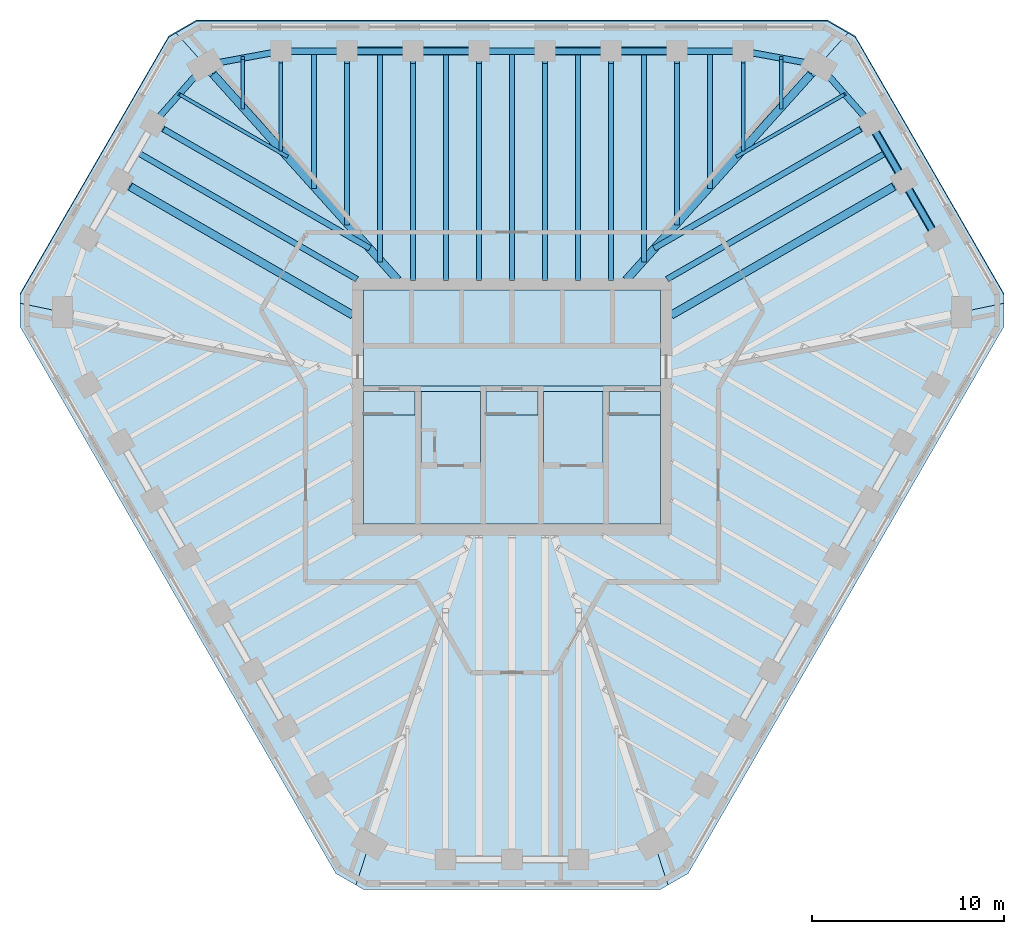
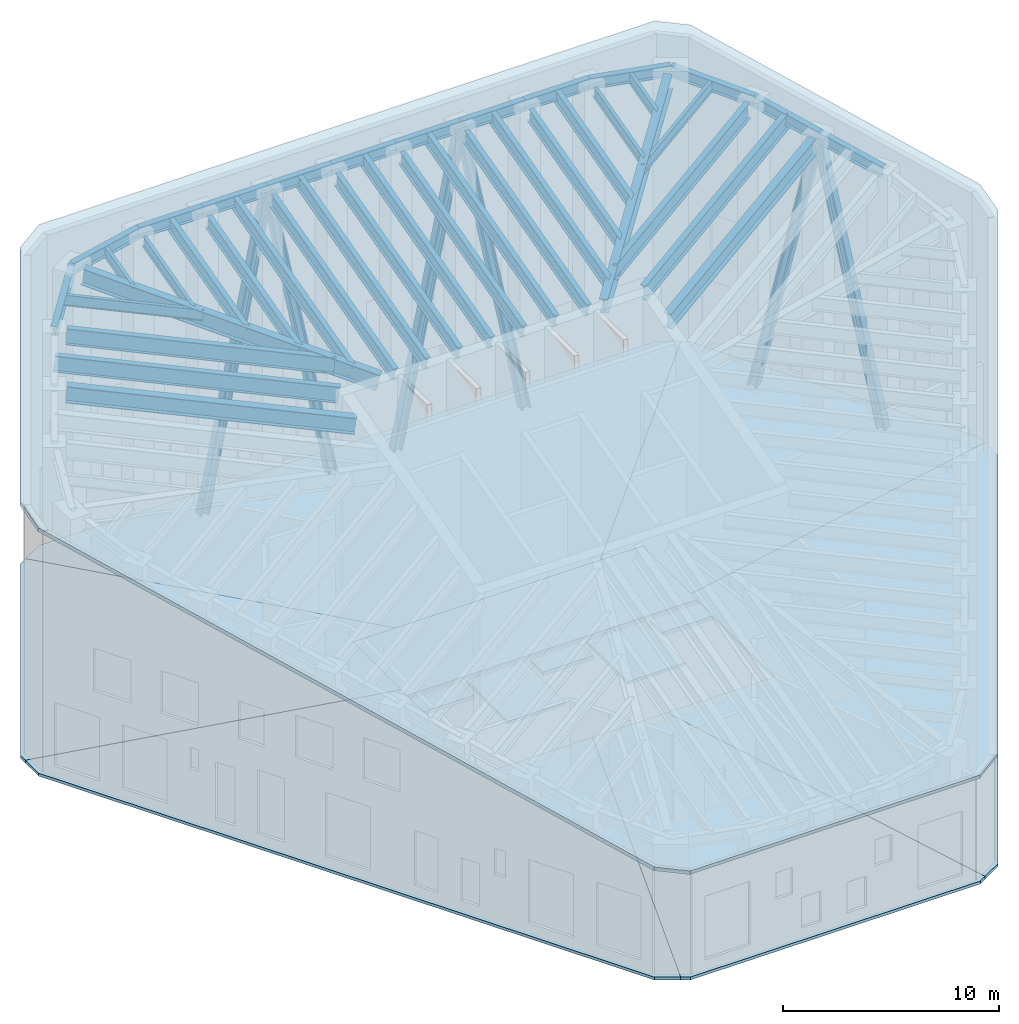
# One storey, part 3 of 9: 40 beams, 13 slabs, 6 members.
"""IFC4 building model written with IfcOpenShell, lengths in metres."""

from ifc_helpers import new_model, si_unit, direction, frame, origin, origin_2d, place, context, subcontext, project, spatial, polyline, i_section, outline, extrude, material, layer, layer_set, material_profile, profile_set, type_object, element, save


model = new_model("IFC4")

# Units and contexts
model_context = context("Model", 3, precision=1e-05, world=origin(), true_north=direction((0.0, 1.0)))
body_context = subcontext(model_context, "Body", "Model", "MODEL_VIEW")
ifc_project = project(units=[si_unit("LENGTHUNIT", "METRE"), si_unit("AREAUNIT", "SQUARE_METRE"), si_unit("VOLUMEUNIT", "CUBIC_METRE"), si_unit("PLANEANGLEUNIT", "RADIAN"), si_unit("MASSUNIT", "GRAM", prefix="KILO")], contexts=[model_context])

# Site, building, storey
site_placement = place(None, origin())
site = spatial("IfcSite", under=ifc_project, at=site_placement, CompositionType="ELEMENT")
building_placement = place(site_placement, origin())
building = spatial("IfcBuilding", under=site, at=building_placement, Name="Sandreach Pilgrim Tower", CompositionType="ELEMENT")
storey_placement = place(building_placement, frame((0.0, 0.0, 298.800048828125)))
storey = spatial("IfcBuildingStorey", under=building, at=storey_placement, Name="L75", CompositionType="ELEMENT", Elevation=298.800048828125)

# Members
ifc_material_1 = material(Name="Steel ASTM A913 Grade 65", Category="steel")
ifc_material_profile_1 = material_profile(ifc_material_1, i_section(OverallWidth=0.424072265625, OverallDepth=0.47509765625, WebThickness=0.0478515625, FlangeThickness=0.0771484375, at=origin_2d()), Name="W14X426")
ifc_profile_set_1 = profile_set([ifc_material_profile_1], Name="Steel ASTM A913 Grade 65")
member_type = type_object("IfcMemberType", Name="Crown brace W14X426", PredefinedType="BRACE", material=ifc_profile_set_1)
for number, where, z_axis, x_axis, name in (
    (1, (-8.612548828125, 18.56640625, 0.0), (0.196988553046, 0.0, 0.980405788421), (0.0, 1.0, 0.0), "Crown brace N face column 02 to 03"),
    (2, (-1.722412109375, 18.56640625, 0.0), (-0.196988553046, 0.0, 0.980405788421), (0.0, -1.0, 0.0), "Crown brace N face column 04 to 03"),
    (3, (1.722412109375, 18.56640625, 0.0), (0.196988553046, 0.0, 0.980405788421), (0.0, 1.0, 0.0), "Crown brace N face column 05 to 06"),
    (4, (8.612548828125, 18.56640625, 0.0), (-0.196988553046, 0.0, 0.980405788421), (0.0, -1.0, 0.0), "Crown brace N face column 07 to 06"),
):
    element("IfcMember", number, at=place(storey_placement, frame(where, z_axis=z_axis, x_axis=x_axis)), inside=storey, type_object=member_type, Name=name, PredefinedType="BRACE", context=body_context, shape_type="SweptSolid", body=[
        extrude(i_section(OverallWidth=0.424072265625, OverallDepth=0.47509765625, WebThickness=0.0478515625, FlangeThickness=0.0771484375, at=origin_2d()), origin(), (0.0, 0.0, 1.0), 17.48876953125),
    ])
for number, where, z_axis, x_axis, name in (
    (5, (18.70361328125, 14.80029296875, 0.0), (0.110240909252, -0.190925823814, 0.975394418545), (0.866006089503, 0.500033451825, 0.0), "Crown brace NE face column 10 to 11"),
    (6, (22.169189453125, 8.7978515625, 0.0), (-0.110225566701, 0.190926150691, 0.975396088483), (-0.866036594811, -0.499980616072, 0.0), "Crown brace NE face column 12 to 11"),
):
    element("IfcMember", number, at=place(storey_placement, frame(where, z_axis=z_axis, x_axis=x_axis)), inside=storey, type_object=member_type, Name=name, PredefinedType="BRACE", context=body_context, shape_type="SweptSolid", body=[
        extrude(i_section(OverallWidth=0.424072265625, OverallDepth=0.47509765625, WebThickness=0.0478515625, FlangeThickness=0.0771484375, at=origin_2d()), origin(), (0.0, 0.0, 1.0), 15.71923828125),
    ])

# Beams
ifc_material_2 = material(Name="Steel ASTM A992 Grade 50", Category="steel")
ifc_material_profile_2 = material_profile(ifc_material_2, i_section(OverallWidth=0.1787109375, OverallDepth=0.60205078125, WebThickness=0.010986328125, FlangeThickness=0.014892578125, at=origin_2d()), Name="W24X62")
ifc_profile_set_2 = profile_set([ifc_material_profile_2], Name="Steel ASTM A992 Grade 50")
beam_type_1 = type_object("IfcBeamType", Name="Crown roof beam W24X62", PredefinedType="BEAM", material=ifc_profile_set_2)
for number, where, z_axis, x_axis, name in (
    (7, (-12.0576171875, 18.016357421875, 16.998046875), (0.0, -0.965923733473, -0.258826855473), (1.0, 0.0, 0.0), "BM L75 RF01"),
    (8, (12.0576171875, 18.016357421875, 16.998046875), (0.0, -0.965923733473, -0.258826855473), (1.0, 0.0, 0.0), "BM L75 RF08"),
):
    element("IfcBeam", number, at=place(storey_placement, frame(where, z_axis=z_axis, x_axis=x_axis)), inside=storey, type_object=beam_type_1, Name=name, PredefinedType="BEAM", context=body_context, shape_type="SweptSolid", body=[
        extrude(i_section(OverallWidth=0.1787109375, OverallDepth=0.60205078125, WebThickness=0.010986328125, FlangeThickness=0.014892578125, at=origin_2d()), origin(), (0.0, 0.0, 1.0), 4.750244140625),
    ])
beam_1_placement = place(storey_placement, frame((14.037109375, 18.201904296875, 17.0478515625), z_axis=(0.0, -0.965923469749, -0.25882783967), x_axis=(1.0, 0.0, 0.0)))
element("IfcBeam", 9, at=beam_1_placement, inside=storey, type_object=beam_type_1, Name="BM L75 RM08", PredefinedType="BEAM", context=body_context, shape_type="SweptSolid", body=[
    extrude(i_section(OverallWidth=0.1787109375, OverallDepth=0.60205078125, WebThickness=0.010986328125, FlangeThickness=0.014892578125, at=origin_2d()), origin(), (0.0, 0.0, 1.0), 2.659912109375),
])
for number, where, z_axis, x_axis, name in (
    (10, (17.360107421875, 16.31884765625, 16.551025390625), (-0.858358383581, -0.495576702265, -0.132757739921), (0.500002465655, -0.866023980233, 0.0), "BM L75 RM09"),
    (11, (-17.360107421875, 16.31884765625, 16.551025390625), (0.858358383581, -0.495576702265, -0.132757739921), (0.500002465655, 0.866023980233, 0.0), "BM L75 RM38"),
):
    element("IfcBeam", number, at=place(storey_placement, frame(where, z_axis=z_axis, x_axis=x_axis)), inside=storey, type_object=beam_type_1, Name=name, PredefinedType="BEAM", context=body_context, shape_type="SweptSolid", body=[
        extrude(i_section(OverallWidth=0.1787109375, OverallDepth=0.60205078125, WebThickness=0.010986328125, FlangeThickness=0.014892578125, at=origin_2d()), origin(), (0.0, 0.0, 1.0), 6.548583984375),
    ])
beam_2_placement = place(storey_placement, frame((-14.037109375, 18.201904296875, 17.0478515625), z_axis=(0.0, -0.965923469749, -0.25882783967), x_axis=(1.0, 0.0, 0.0)))
element("IfcBeam", 12, at=beam_2_placement, inside=storey, type_object=beam_type_1, Name="BM L75 RM39", PredefinedType="BEAM", context=body_context, shape_type="SweptSolid", body=[
    extrude(i_section(OverallWidth=0.1787109375, OverallDepth=0.60205078125, WebThickness=0.010986328125, FlangeThickness=0.014892578125, at=origin_2d()), origin(), (0.0, 0.0, 1.0), 2.659912109375),
])
ifc_material_3 = material(Name="Steel ASTM A992 Grade 50", Category="steel")
ifc_material_profile_3 = material_profile(ifc_material_3, i_section(OverallWidth=0.2666015625, OverallDepth=0.761962890625, WebThickness=0.014404296875, FlangeThickness=0.021484375, at=origin_2d()), Name="W30X116")
ifc_profile_set_3 = profile_set([ifc_material_profile_3], Name="Steel ASTM A992 Grade 50")
beam_type_2 = type_object("IfcBeamType", Name="Crown roof beam W30X116", PredefinedType="BEAM", material=ifc_profile_set_3)
for number, where, z_axis, x_axis, name in (
    (13, (-8.612548828125, 18.016357421875, 16.915283203125), (0.0, -0.96592156262, -0.258834956808), (1.0, 0.0, 0.0), "BM L75 RF02"),
    (14, (8.612548828125, 18.016357421875, 16.915283203125), (0.0, -0.96592156262, -0.258834956808), (1.0, 0.0, 0.0), "BM L75 RF07"),
):
    element("IfcBeam", number, at=place(storey_placement, frame(where, z_axis=z_axis, x_axis=x_axis)), inside=storey, type_object=beam_type_2, Name=name, PredefinedType="BEAM", context=body_context, shape_type="SweptSolid", body=[
        extrude(i_section(OverallWidth=0.2666015625, OverallDepth=0.761962890625, WebThickness=0.014404296875, FlangeThickness=0.021484375, at=origin_2d()), origin(), (0.0, 0.0, 1.0), 8.721923828125),
    ])
for number, where, z_axis, x_axis, name in (
    (15, (-10.3349609375, 18.56640625, 17.062744140625), (0.0, -0.965924184242, -0.258825173227), (1.0, 0.0, 0.0), "BM L75 RM01"),
    (16, (10.3349609375, 18.56640625, 17.062744140625), (0.0, -0.965924184242, -0.258825173227), (1.0, 0.0, 0.0), "BM L75 RM07"),
):
    element("IfcBeam", number, at=place(storey_placement, frame(where, z_axis=z_axis, x_axis=x_axis)), inside=storey, type_object=beam_type_2, Name=name, PredefinedType="BEAM", context=body_context, shape_type="SweptSolid", body=[
        extrude(i_section(OverallWidth=0.2666015625, OverallDepth=0.761962890625, WebThickness=0.014404296875, FlangeThickness=0.021484375, at=origin_2d()), origin(), (0.0, 0.0, 1.0), 7.3056640625),
    ])
ifc_material_4 = material(Name="Steel ASTM A992 Grade 50", Category="steel")
ifc_material_profile_4 = material_profile(ifc_material_4, i_section(OverallWidth=0.2666015625, OverallDepth=0.77978515625, WebThickness=0.0166015625, FlangeThickness=0.030029296875, at=origin_2d()), Name="W30X148")
ifc_profile_set_4 = profile_set([ifc_material_profile_4], Name="Steel ASTM A992 Grade 50")
beam_type_3 = type_object("IfcBeamType", Name="Crown roof beam W30X148", PredefinedType="BEAM", material=ifc_profile_set_4)
for number, where, z_axis, x_axis, name in (
    (17, (-5.16748046875, 18.016357421875, 16.906005859375), (0.0, -0.965925727135, -0.25881941515), (1.0, 0.0, 0.0), "BM L75 RF03"),
    (18, (-1.722412109375, 18.016357421875, 16.906005859375), (0.0, -0.965925727135, -0.25881941515), (1.0, 0.0, 0.0), "BM L75 RF04"),
    (19, (1.722412109375, 18.016357421875, 16.906005859375), (0.0, -0.965925727135, -0.25881941515), (1.0, 0.0, 0.0), "BM L75 RF05"),
    (20, (5.16748046875, 18.016357421875, 16.906005859375), (0.0, -0.965925727135, -0.25881941515), (1.0, 0.0, 0.0), "BM L75 RF06"),
):
    element("IfcBeam", number, at=place(storey_placement, frame(where, z_axis=z_axis, x_axis=x_axis)), inside=storey, type_object=beam_type_3, Name=name, PredefinedType="BEAM", context=body_context, shape_type="SweptSolid", body=[
        extrude(i_section(OverallWidth=0.2666015625, OverallDepth=0.77978515625, WebThickness=0.0166015625, FlangeThickness=0.030029296875, at=origin_2d()), origin(), (0.0, 0.0, 1.0), 11.715576171875),
    ])
beam_3_placement = place(storey_placement, frame((-6.89013671875, 18.56640625, 17.053466796875), z_axis=(0.0, -0.965923796827, -0.258826619038), x_axis=(1.0, 0.0, 0.0)))
element("IfcBeam", 21, at=beam_3_placement, inside=storey, type_object=beam_type_3, Name="BM L75 RM02", PredefinedType="BEAM", context=body_context, shape_type="SweptSolid", body=[
    extrude(i_section(OverallWidth=0.2666015625, OverallDepth=0.77978515625, WebThickness=0.0166015625, FlangeThickness=0.030029296875, at=origin_2d()), origin(), (0.0, 0.0, 1.0), 11.277587890625),
])
for number, where, z_axis, x_axis, name in (
    (22, (-3.445068359375, 18.56640625, 17.053466796875), (0.0, -0.965924189227, -0.258825154624), (1.0, 0.0, 0.0), "BM L75 RM03"),
    (23, (0.0, 18.56640625, 17.053466796875), (0.0, -0.965924189227, -0.258825154624), (1.0, 0.0, 0.0), "BM L75 RM04"),
    (24, (3.445068359375, 18.56640625, 17.053466796875), (0.0, -0.965924189227, -0.258825154624), (1.0, 0.0, 0.0), "BM L75 RM05"),
):
    element("IfcBeam", number, at=place(storey_placement, frame(where, z_axis=z_axis, x_axis=x_axis)), inside=storey, type_object=beam_type_3, Name=name, PredefinedType="BEAM", context=body_context, shape_type="SweptSolid", body=[
        extrude(i_section(OverallWidth=0.2666015625, OverallDepth=0.77978515625, WebThickness=0.0166015625, FlangeThickness=0.030029296875, at=origin_2d()), origin(), (0.0, 0.0, 1.0), 12.28515625),
    ])
beam_4_placement = place(storey_placement, frame((6.89013671875, 18.56640625, 17.053466796875), z_axis=(0.0, -0.965923796827, -0.258826619038), x_axis=(1.0, 0.0, 0.0)))
element("IfcBeam", 25, at=beam_4_placement, inside=storey, type_object=beam_type_3, Name="BM L75 RM06", PredefinedType="BEAM", context=body_context, shape_type="SweptSolid", body=[
    extrude(i_section(OverallWidth=0.2666015625, OverallDepth=0.77978515625, WebThickness=0.0166015625, FlangeThickness=0.030029296875, at=origin_2d()), origin(), (0.0, 0.0, 1.0), 11.277587890625),
])
ifc_material_5 = material(Name="Steel ASTM A992 Grade 50", Category="steel")
ifc_material_profile_5 = material_profile(ifc_material_5, i_section(OverallWidth=0.3046875, OverallDepth=0.914306640625, WebThickness=0.0166015625, FlangeThickness=0.02587890625, at=origin_2d()), Name="W36X160")
ifc_profile_set_5 = profile_set([ifc_material_profile_5], Name="Steel ASTM A992 Grade 50")
beam_type_4 = type_object("IfcBeamType", Name="Crown roof beam W36X160", PredefinedType="BEAM", material=ifc_profile_set_5)
for number, where, z_axis, x_axis, name in (
    (26, (18.227294921875, 14.525390625, 15.9130859375), (-0.85835104028, -0.495580594724, -0.132790684101), (0.500008619226, -0.866020427415, 0.0), "BM L75 RF10"),
    (27, (-18.227294921875, 14.525390625, 15.9130859375), (0.85835104028, -0.495580594724, -0.132790684101), (0.500008619226, 0.866020427415, 0.0), "BM L75 RF38"),
):
    element("IfcBeam", number, at=place(storey_placement, frame(where, z_axis=z_axis, x_axis=x_axis)), inside=storey, type_object=beam_type_4, Name=name, PredefinedType="BEAM", context=body_context, shape_type="SweptSolid", body=[
        extrude(i_section(OverallWidth=0.3046875, OverallDepth=0.914306640625, WebThickness=0.0166015625, FlangeThickness=0.02587890625, at=origin_2d()), origin(), (0.0, 0.0, 1.0), 12.54248046875),
    ])
for number, where, z_axis, x_axis, name in (
    (28, (19.570068359375, 13.299560546875, 15.58447265625), (-0.858357664374, -0.495570884504, -0.132784104634), (0.49999837757, -0.866026340493, 0.0), "BM L75 RM10"),
    (29, (-19.570068359375, 13.299560546875, 15.58447265625), (0.858357664374, -0.495570884504, -0.132784104634), (0.49999837757, 0.866026340493, 0.0), "BM L75 RM37"),
):
    element("IfcBeam", number, at=place(storey_placement, frame(where, z_axis=z_axis, x_axis=x_axis)), inside=storey, type_object=beam_type_4, Name=name, PredefinedType="BEAM", context=body_context, shape_type="SweptSolid", body=[
        extrude(i_section(OverallWidth=0.3046875, OverallDepth=0.914306640625, WebThickness=0.0166015625, FlangeThickness=0.02587890625, at=origin_2d()), origin(), (0.0, 0.0, 1.0), 13.317138671875),
    ])
ifc_material_6 = material(Name="Steel ASTM A992 Grade 50", Category="steel")
ifc_material_profile_6 = material_profile(ifc_material_6, i_section(OverallWidth=0.419189453125, OverallDepth=0.927001953125, WebThickness=0.019287109375, FlangeThickness=0.031982421875, at=origin_2d()), Name="W36X231")
ifc_profile_set_6 = profile_set([ifc_material_profile_6], Name="Steel ASTM A992 Grade 50")
beam_type_5 = type_object("IfcBeamType", Name="Crown roof beam W36X231", PredefinedType="BEAM", material=ifc_profile_set_6)
for number, where, z_axis, x_axis, name in (
    (30, (19.960205078125, 11.52392578125, 15.102294921875), (-0.858354990576, -0.495573433314, -0.132791876052), (0.50000147439, -0.866024552543, 0.0), "BM L75 RF11"),
    (31, (-19.960205078125, 11.52392578125, 15.102294921875), (0.858354990576, -0.495573433314, -0.132791876052), (0.50000147439, 0.866024552543, 0.0), "BM L75 RF37"),
):
    element("IfcBeam", number, at=place(storey_placement, frame(where, z_axis=z_axis, x_axis=x_axis)), inside=storey, type_object=beam_type_5, Name=name, PredefinedType="BEAM", context=body_context, shape_type="SweptSolid", body=[
        extrude(i_section(OverallWidth=0.419189453125, OverallDepth=0.927001953125, WebThickness=0.019287109375, FlangeThickness=0.031982421875, at=origin_2d()), origin(), (0.0, 0.0, 1.0), 13.52587890625),
    ])
ifc_material_7 = material(Name="Steel ASTM A992 Grade 50", Category="steel")
ifc_material_profile_7 = material_profile(ifc_material_7, i_section(OverallWidth=0.32763671875, OverallDepth=0.622314453125, WebThickness=0.015380859375, FlangeThickness=0.0244140625, at=origin_2d()), Name="W24X131")
ifc_profile_set_7 = profile_set([ifc_material_profile_7], Name="Steel ASTM A992 Grade 50")
beam_type_6 = type_object("IfcBeamType", Name="Crown roof edge beam W24X131", PredefinedType="BEAM", material=ifc_profile_set_7)
for number, where, z_axis, x_axis, name in (
    (32, (-12.0576171875, 18.56640625, 17.14599609375), (1.0, 0.0, 0.0), (0.0, 1.0, 0.0), "BM L75 CR01"),
    (33, (-8.612548828125, 18.56640625, 17.14599609375), (1.0, 0.0, 0.0), (0.0, 1.0, 0.0), "BM L75 CR02"),
    (34, (-5.16748046875, 18.56640625, 17.14599609375), (1.0, 0.0, 0.0), (0.0, 1.0, 0.0), "BM L75 CR03"),
):
    element("IfcBeam", number, at=place(storey_placement, frame(where, z_axis=z_axis, x_axis=x_axis)), inside=storey, type_object=beam_type_6, Name=name, PredefinedType="BEAM", context=body_context, shape_type="SweptSolid", body=[
        extrude(i_section(OverallWidth=0.32763671875, OverallDepth=0.622314453125, WebThickness=0.015380859375, FlangeThickness=0.0244140625, at=origin_2d()), origin(), (0.0, 0.0, 1.0), 3.445068359375),
    ])
beam_5_placement = place(storey_placement, frame((-1.722412109375, 18.56640625, 17.14599609375), z_axis=(1.0, 0.0, 0.0), x_axis=(0.0, 1.0, 0.0)))
element("IfcBeam", 35, at=beam_5_placement, inside=storey, type_object=beam_type_6, Name="BM L75 CR04", PredefinedType="BEAM", context=body_context, shape_type="SweptSolid", body=[
    extrude(i_section(OverallWidth=0.32763671875, OverallDepth=0.622314453125, WebThickness=0.015380859375, FlangeThickness=0.0244140625, at=origin_2d()), origin(), (0.0, 0.0, 1.0), 3.44482421875),
])
for number, where, z_axis, x_axis, name in (
    (36, (1.722412109375, 18.56640625, 17.14599609375), (1.0, 0.0, 0.0), (0.0, 1.0, 0.0), "BM L75 CR05"),
    (37, (5.16748046875, 18.56640625, 17.14599609375), (1.0, 0.0, 0.0), (0.0, 1.0, 0.0), "BM L75 CR06"),
    (38, (8.612548828125, 18.56640625, 17.14599609375), (1.0, 0.0, 0.0), (0.0, 1.0, 0.0), "BM L75 CR07"),
):
    element("IfcBeam", number, at=place(storey_placement, frame(where, z_axis=z_axis, x_axis=x_axis)), inside=storey, type_object=beam_type_6, Name=name, PredefinedType="BEAM", context=body_context, shape_type="SweptSolid", body=[
        extrude(i_section(OverallWidth=0.32763671875, OverallDepth=0.622314453125, WebThickness=0.015380859375, FlangeThickness=0.0244140625, at=origin_2d()), origin(), (0.0, 0.0, 1.0), 3.445068359375),
    ])
beam_6_placement = place(storey_placement, frame((12.0576171875, 18.56640625, 17.14599609375), z_axis=(0.982296535894, -0.180939797281, -0.04852118434), x_axis=(0.181153167875, 0.983454894629, 0.0)))
element("IfcBeam", 39, at=beam_6_placement, inside=storey, type_object=beam_type_6, Name="BM L75 CR08", PredefinedType="BEAM", context=body_context, shape_type="SweptSolid", body=[
    extrude(i_section(OverallWidth=0.32763671875, OverallDepth=0.622314453125, WebThickness=0.015380859375, FlangeThickness=0.0244140625, at=origin_2d()), origin(), (0.0, 0.0, 1.0), 4.0302734375),
])
beam_7_placement = place(storey_placement, frame((16.0166015625, 17.837158203125, 16.950439453125), z_axis=(0.649697996447, -0.734289785372, -0.196751174101), x_axis=(0.748928755736, 0.662650525414, 0.0)))
element("IfcBeam", 40, at=beam_7_placement, inside=storey, type_object=beam_type_6, Name="BM L75 CR09", PredefinedType="BEAM", context=body_context, shape_type="SweptSolid", body=[
    extrude(i_section(OverallWidth=0.32763671875, OverallDepth=0.622314453125, WebThickness=0.015380859375, FlangeThickness=0.0244140625, at=origin_2d()), origin(), (0.0, 0.0, 1.0), 4.1357421875),
])
for number, where, z_axis, x_axis, name in (
    (41, (18.70361328125, 14.80029296875, 16.13671875), (0.487090854966, -0.843590853776, -0.226046390005), (0.866006089503, 0.500033451825, 0.0), "BM L75 CR10"),
    (42, (20.4365234375, 11.799072265625, 15.33251953125), (0.487038510147, -0.843619051041, -0.226053945671), (0.866036594811, 0.499980616072, 0.0), "BM L75 CR11"),
):
    element("IfcBeam", number, at=place(storey_placement, frame(where, z_axis=z_axis, x_axis=x_axis)), inside=storey, type_object=beam_type_6, Name=name, PredefinedType="BEAM", context=body_context, shape_type="SweptSolid", body=[
        extrude(i_section(OverallWidth=0.32763671875, OverallDepth=0.622314453125, WebThickness=0.015380859375, FlangeThickness=0.0244140625, at=origin_2d()), origin(), (0.0, 0.0, 1.0), 3.5576171875),
    ])
beam_8_placement = place(storey_placement, frame((-18.70361328125, 14.80029296875, 16.13671875), z_axis=(0.649697996447, 0.734289785372, 0.196751174101), x_axis=(-0.748928755736, 0.662650525414, 0.0)))
element("IfcBeam", 43, at=beam_8_placement, inside=storey, type_object=beam_type_6, Name="BM L75 CR38", PredefinedType="BEAM", context=body_context, shape_type="SweptSolid", body=[
    extrude(i_section(OverallWidth=0.32763671875, OverallDepth=0.622314453125, WebThickness=0.015380859375, FlangeThickness=0.0244140625, at=origin_2d()), origin(), (0.0, 0.0, 1.0), 4.1357421875),
])
beam_9_placement = place(storey_placement, frame((-16.0166015625, 17.837158203125, 16.950439453125), z_axis=(0.982296535894, 0.180939797281, 0.04852118434), x_axis=(-0.181153167875, 0.983454894629, 0.0)))
element("IfcBeam", 44, at=beam_9_placement, inside=storey, type_object=beam_type_6, Name="BM L75 CR39", PredefinedType="BEAM", context=body_context, shape_type="SweptSolid", body=[
    extrude(i_section(OverallWidth=0.32763671875, OverallDepth=0.622314453125, WebThickness=0.015380859375, FlangeThickness=0.0244140625, at=origin_2d()), origin(), (0.0, 0.0, 1.0), 4.0302734375),
])
ifc_material_8 = material(Name="Steel ASTM A992 Grade 50", Category="steel")
ifc_material_profile_8 = material_profile(ifc_material_8, i_section(OverallWidth=0.419189453125, OverallDepth=0.927001953125, WebThickness=0.019287109375, FlangeThickness=0.031982421875, at=origin_2d()), Name="W36X231")
ifc_profile_set_8 = profile_set([ifc_material_profile_8], Name="Steel ASTM A992 Grade 50")
beam_type_7 = type_object("IfcBeamType", Name="Crown roof girder W36X231", PredefinedType="BEAM", material=ifc_profile_set_8)
for number, where, z_axis, x_axis, name in (
    (45, (15.649169921875, 17.427978515625, 16.679443359375), (-0.655218149898, -0.729695515189, -0.195534219912), (0.74405815974, -0.668114851597, 0.0), "BM L75 RG09"),
    (46, (-15.649169921875, 17.427978515625, 16.679443359375), (0.655218149898, -0.729695515189, -0.195534219912), (0.74405815974, 0.668114851597, 0.0), "BM L75 RG39"),
):
    element("IfcBeam", number, at=place(storey_placement, frame(where, z_axis=z_axis, x_axis=x_axis)), inside=storey, type_object=beam_type_7, Name=name, PredefinedType="BEAM", context=body_context, shape_type="SweptSolid", body=[
        extrude(i_section(OverallWidth=0.419189453125, OverallDepth=0.927001953125, WebThickness=0.019287109375, FlangeThickness=0.031982421875, at=origin_2d()), origin(), (0.0, 0.0, 1.0), 14.7021484375),
    ])

# Slabs
ifc_material_9 = material(Name="Concrete 8000 psi", Category="concrete")
ifc_layer_1 = layer(ifc_material_9, 0.159912109375)
ifc_layer_set_1 = layer_set([ifc_layer_1], Name="Composite floor slab 160")
slab_type_1 = type_object("IfcSlabType", Name="Composite floor slab 160", PredefinedType="FLOOR", material=ifc_layer_set_1)
slab_1_placement = place(storey_placement, frame((0.0, 0.0, -0.16015625)))
element("IfcSlab", 47, at=slab_1_placement, inside=storey, type_object=slab_type_1, Name="Floor slab L75 N sector", PredefinedType="FLOOR", context=body_context, shape_type="SweptSolid", body=[
    extrude(outline(polyline([(-16.4716796875, 20.12646484375), (16.4716796875, 20.12646484375), (17.52587890625, 19.517822265625), (5.477294921875, 6.10009765625), (-5.477294921875, 6.10009765625), (-17.52587890625, 19.517822265625), (-16.4716796875, 20.12646484375)])), origin(), (0.0, 0.0, 1.0), 0.16015625),
])
slab_2_placement = place(storey_placement, frame((0.0, 0.0, -0.16015625)))
element("IfcSlab", 48, at=slab_2_placement, inside=storey, type_object=slab_type_1, Name="Floor slab L75 NE sector", PredefinedType="FLOOR", context=body_context, shape_type="SweptSolid", body=[
    extrude(outline(polyline([(17.9091796875, 19.29638671875), (25.665771484375, 5.861572265625), (25.665771484375, 5.4189453125), (7.75, 1.63623046875), (7.75, 6.10009765625), (5.477294921875, 6.10009765625), (17.52587890625, 19.517822265625), (17.9091796875, 19.29638671875)])), origin(), (0.0, 0.0, 1.0), 0.16015625),
])
slab_3_placement = place(storey_placement, frame((0.0, 0.0, -0.16015625)))
element("IfcSlab", 49, at=slab_3_placement, inside=storey, type_object=slab_type_1, Name="Floor slab L75 SE sector", PredefinedType="FLOOR", context=body_context, shape_type="SweptSolid", body=[
    extrude(outline(polyline([(25.665771484375, 4.20166015625), (9.194091796875, -24.327880859375), (8.139892578125, -24.936767578125), (1.9912109375, -6.10009765625), (7.75, -6.10009765625), (7.75, 1.63623046875), (25.665771484375, 5.4189453125), (25.665771484375, 4.20166015625)])), origin(), (0.0, 0.0, 1.0), 0.16015625),
])
slab_4_placement = place(storey_placement, frame((0.0, 0.0, -0.16015625)))
element("IfcSlab", 50, at=slab_4_placement, inside=storey, type_object=slab_type_1, Name="Floor slab L75 S sector", PredefinedType="FLOOR", context=body_context, shape_type="SweptSolid", body=[
    extrude(outline(polyline([(7.756591796875, -25.157958984375), (-7.756591796875, -25.157958984375), (-8.139892578125, -24.936767578125), (-1.9912109375, -6.10009765625), (1.9912109375, -6.10009765625), (8.139892578125, -24.936767578125), (7.756591796875, -25.157958984375)])), origin(), (0.0, 0.0, 1.0), 0.16015625),
])
slab_5_placement = place(storey_placement, frame((0.0, 0.0, -0.16015625)))
element("IfcSlab", 51, at=slab_5_placement, inside=storey, type_object=slab_type_1, Name="Floor slab L75 SW sector", PredefinedType="FLOOR", context=body_context, shape_type="SweptSolid", body=[
    extrude(outline(polyline([(-9.194091796875, -24.327880859375), (-25.665771484375, 4.20166015625), (-25.665771484375, 5.4189453125), (-7.75, 1.63623046875), (-7.75, -6.10009765625), (-1.9912109375, -6.10009765625), (-8.139892578125, -24.936767578125), (-9.194091796875, -24.327880859375)])), origin(), (0.0, 0.0, 1.0), 0.16015625),
])
slab_6_placement = place(storey_placement, frame((0.0, 0.0, -0.16015625)))
element("IfcSlab", 52, at=slab_6_placement, inside=storey, type_object=slab_type_1, Name="Floor slab L75 NW sector", PredefinedType="FLOOR", context=body_context, shape_type="SweptSolid", body=[
    extrude(outline(polyline([(-25.665771484375, 5.861572265625), (-17.9091796875, 19.29638671875), (-17.52587890625, 19.517822265625), (-5.477294921875, 6.10009765625), (-7.75, 6.10009765625), (-7.75, 1.63623046875), (-25.665771484375, 5.4189453125), (-25.665771484375, 5.861572265625)])), origin(), (0.0, 0.0, 1.0), 0.16015625),
])
slab_7_placement = place(storey_placement, frame((0.0, 0.0, -0.16015625)))
element("IfcSlab", 53, at=slab_7_placement, inside=storey, type_object=slab_type_1, Name="Core floor slab L75", PredefinedType="FLOOR", context=body_context, shape_type="SweptSolid", body=[
    extrude(outline(polyline([(-1.64990234375, 1.10009765625), (-4.75, 1.10009765625), (-5.050048828125, 1.10009765625), (-7.75, 1.10009765625), (-7.75, 6.10009765625), (7.75, 6.10009765625), (7.75, 1.10009765625), (5.050048828125, 1.10009765625), (4.75, 1.10009765625), (1.64990234375, 1.10009765625), (1.35009765625, 1.10009765625), (-1.35009765625, 1.10009765625), (-1.64990234375, 1.10009765625)])), origin(), (0.0, 0.0, 1.0), 0.16015625),
])
slab_8_placement = place(storey_placement, frame((0.0, 0.0, -0.16015625)))
element("IfcSlab", 54, at=slab_8_placement, inside=storey, type_object=slab_type_1, Name="Core floor slab L75 2", PredefinedType="FLOOR", context=body_context, shape_type="SweptSolid", body=[
    extrude(outline(polyline([(-1.64990234375, -3.050048828125), (-4.75, -3.050048828125), (-4.75, 0.800048828125), (-1.64990234375, 0.800048828125), (-1.64990234375, -3.050048828125)])), origin(), (0.0, 0.0, 1.0), 0.16015625),
])
slab_9_placement = place(storey_placement, frame((0.0, 0.0, -0.16015625)))
element("IfcSlab", 55, at=slab_9_placement, inside=storey, type_object=slab_type_1, Name="Core floor slab L75 3", PredefinedType="FLOOR", context=body_context, shape_type="SweptSolid", body=[
    extrude(outline(polyline([(4.75, -3.050048828125), (1.64990234375, -3.050048828125), (1.64990234375, 0.800048828125), (4.75, 0.800048828125), (4.75, -3.050048828125)])), origin(), (0.0, 0.0, 1.0), 0.16015625),
])
ifc_material_10 = material(Name="Concrete 8000 psi", Category="concrete")
ifc_layer_2 = layer(ifc_material_10, 0.199951171875)
ifc_layer_set_2 = layer_set([ifc_layer_2], Name="Core stair landing 200")
slab_type_2 = type_object("IfcSlabType", Name="Core stair landing 200", PredefinedType="LANDING", material=ifc_layer_set_2)
slab_10_placement = place(storey_placement, frame((0.0, 0.0, -0.199951171875)))
element("IfcSlab", 56, at=slab_10_placement, inside=storey, type_object=slab_type_2, Name="Stair ST1 top landing", PredefinedType="LANDING", context=body_context, shape_type="SweptSolid", body=[
    extrude(outline(polyline([(-7.75, -0.425048828125), (-5.050048828125, -0.425048828125), (-5.050048828125, 0.800048828125), (-7.75, 0.800048828125), (-7.75, -0.425048828125)])), origin(), (0.0, 0.0, 1.0), 0.199951171875),
])
slab_11_placement = place(storey_placement, frame((0.0, 0.0, -0.199951171875)))
element("IfcSlab", 57, at=slab_11_placement, inside=storey, type_object=slab_type_2, Name="Stair ST3 top landing", PredefinedType="LANDING", context=body_context, shape_type="SweptSolid", body=[
    extrude(outline(polyline([(-1.35009765625, -0.425048828125), (1.35009765625, -0.425048828125), (1.35009765625, 0.800048828125), (-1.35009765625, 0.800048828125), (-1.35009765625, -0.425048828125)])), origin(), (0.0, 0.0, 1.0), 0.199951171875),
])
slab_12_placement = place(storey_placement, frame((0.0, 0.0, -0.199951171875)))
element("IfcSlab", 58, at=slab_12_placement, inside=storey, type_object=slab_type_2, Name="Stair ST2 top landing", PredefinedType="LANDING", context=body_context, shape_type="SweptSolid", body=[
    extrude(outline(polyline([(5.050048828125, -0.425048828125), (7.75, -0.425048828125), (7.75, 0.800048828125), (5.050048828125, 0.800048828125), (5.050048828125, -0.425048828125)])), origin(), (0.0, 0.0, 1.0), 0.199951171875),
])
ifc_material_11 = material(Name="Concrete 8000 psi", Category="concrete")
ifc_layer_3 = layer(ifc_material_11, 0.25)
ifc_layer_set_3 = layer_set([ifc_layer_3], Name="Crown roof slab 250 on metal deck")
slab_type_3 = type_object("IfcSlabType", Name="Crown roof slab 250 on metal deck", PredefinedType="ROOF", material=ifc_layer_set_3)
slab_13_placement = place(storey_placement, frame((-16.4716796875, 20.12646484375, 18.1337890625), z_axis=(0.0, -0.258814352084, 0.965927083767), x_axis=(-0.858319388589, -0.495632451118, -0.132801734068)))
element("IfcSlab", 59, at=slab_13_placement, inside=storey, type_object=slab_type_3, Name="Crown roof", PredefinedType="ROOF", context=body_context, shape_type="SweptSolid", body=[
    extrude(outline(polyline([(0.0, 0.0), (1.6747844906121745, 2.7755575615628914e-17), (15.46921442622266, 7.9581155918581725), (16.350961738939887, 9.43306687981761), (17.368494053538686, 43.23644479963823), (16.575489297942095, 44.71145032230871), (3.2602230406910793, 52.67150997735569), (1.5855595540952911, 52.67171238798653), (-27.707896837309764, 35.772092763677854), (-28.589644150026995, 34.29714147571841), (-29.06880782838646, 18.378966228813262), (-28.27592407680626, 16.903758295511928), (0.0, 0.0)])), origin(), (0.0, 0.0, -1.0), 0.25),
])

save(model, "model.ifc")
